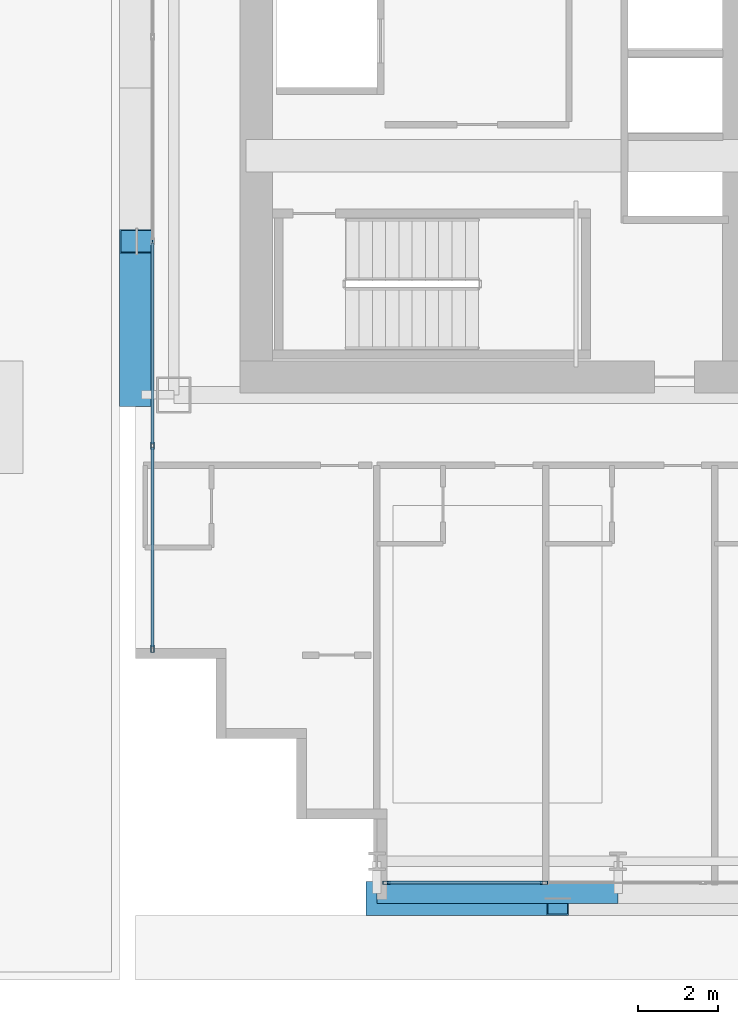
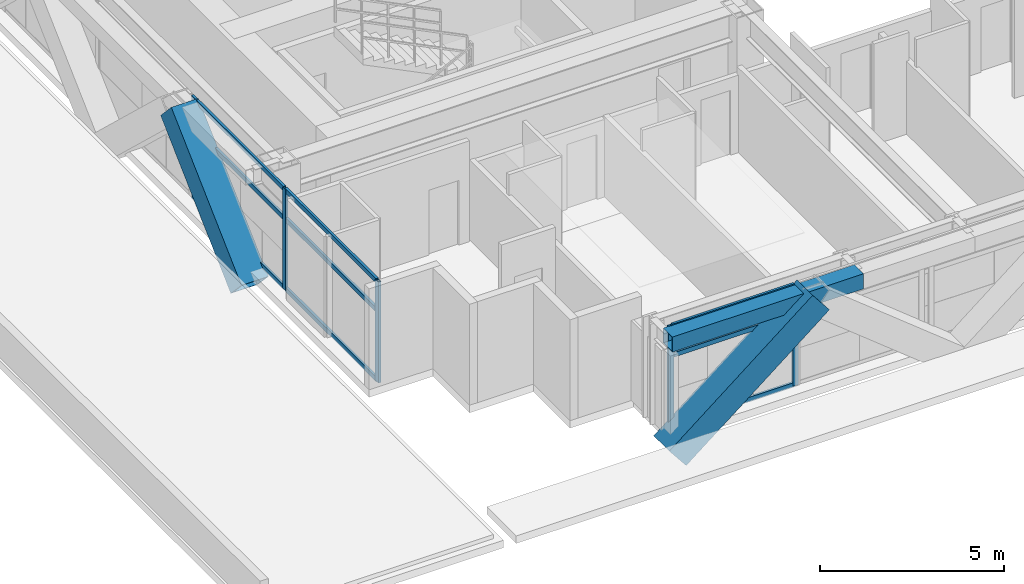
# One storey, part 2 of 35: 15 members, 1 beam, 2 elements without a shape of their own.
"""IFC4 building model written with IfcOpenShell, lengths in metres."""

from ifc_helpers import new_model, si_unit, direction, frame, origin, origin_2d, place, context, subcontext, project, spatial, hollow_rectangle, extrude, source, transform, mapped, material, layer, layer_set, material_profile, profile_set, type_object, element, aggregate, save


model = new_model("IFC4")

# Units and contexts
model_context = context("Model", 3, precision=1e-05, world=origin(), true_north=direction((0.0, 1.0)))
body_context = subcontext(model_context, "Body", "Model", "MODEL_VIEW")
ifc_project = project(units=[si_unit("LENGTHUNIT", "METRE"), si_unit("AREAUNIT", "SQUARE_METRE"), si_unit("VOLUMEUNIT", "CUBIC_METRE"), si_unit("PLANEANGLEUNIT", "RADIAN"), si_unit("MASSUNIT", "GRAM", prefix="KILO")], contexts=[model_context])

# Site, building, storey
site_placement = place(None, origin())
site = spatial("IfcSite", under=ifc_project, at=site_placement, CompositionType="ELEMENT")
building_placement = place(site_placement, origin())
building = spatial("IfcBuilding", under=site, at=building_placement, Name="Ocotamira Hotel", CompositionType="ELEMENT")
storey_placement = place(building_placement, frame((0.0, 0.0, 34.800048828125)))
storey = spatial("IfcBuildingStorey", under=building, at=storey_placement, Name="L07", CompositionType="ELEMENT", Elevation=34.800048828125)

# Beam
ifc_material_1 = material(Name="Steel ASTM A500 Grade C", Category="steel")
ifc_material_profile_1 = material_profile(ifc_material_1, hollow_rectangle(XDim=0.5, YDim=0.5, WallThickness=0.02001953125, at=origin_2d()), Name="HSS500X500X20")
ifc_profile_set_1 = profile_set([ifc_material_profile_1], Name="Steel ASTM A500 Grade C")
beam_type = type_object("IfcBeamType", Name="BM-SPAN-HSS500", PredefinedType="USERDEFINED", material=ifc_profile_set_1)
shared_shape_1 = source(origin(), body_context, "Body", "SweptSolid", [
    extrude(hollow_rectangle(XDim=0.5, YDim=0.5, WallThickness=0.02001953125, at=origin_2d()), origin(), (0.0, 0.0, 1.0), 6.0),
])
beam_placement = place(storey_placement, frame((14.0, 2.14990234375, 3.099853515625), z_axis=(1.0, 0.0, 0.0), x_axis=(0.0, 1.0, 0.0)))
element("IfcBeam", 1, at=beam_placement, inside=storey, type_object=beam_type, Name="L07 Edge Spandrel S X14-20", ObjectType="SPANDREL", PredefinedType="USERDEFINED", context=body_context, shape_type="MappedRepresentation", body=[
    mapped(shared_shape_1, transform((0.0, 0.0, 0.0), scale=1.0)),
])

# Members
ifc_material_2 = material(Name="Pale-metal coated steel ASTM A913 Grade 65", Category="steel")
ifc_material_profile_2 = material_profile(ifc_material_2, hollow_rectangle(XDim=0.85009765625, YDim=0.85009765625, WallThickness=0.035888671875, at=origin_2d()), Name="BOX850X850X36")
ifc_profile_set_2 = profile_set([ifc_material_profile_2], Name="Pale-metal coated steel ASTM A913 Grade 65")
member_type_1 = type_object("IfcMemberType", Name="MEM-EXO-BOX850", PredefinedType="BRACE", material=ifc_profile_set_2)
shared_shape_2 = source(origin(), body_context, "Body", "SweptSolid", [
    extrude(hollow_rectangle(XDim=0.85009765625, YDim=0.85009765625, WallThickness=0.035888671875, at=origin_2d()), origin(), (0.0, 0.0, 1.0), 5.7626953125),
])
member_1_placement = place(storey_placement, frame((14.0, 2.030029296875, -0.5), z_axis=(0.780881208953, 0.0, 0.624679547852), x_axis=(0.0, 1.0, 0.0)))
element("IfcMember", 2, at=member_1_placement, inside=storey, type_object=member_type_1, Name="L07 Exoskeleton Diagrid S0.1", PredefinedType="BRACE", context=body_context, shape_type="MappedRepresentation", body=[
    mapped(shared_shape_2, transform((0.0, 0.0, 0.0), scale=1.0)),
])
shared_shape_3 = source(origin(), body_context, "Body", "SweptSolid", [
    extrude(hollow_rectangle(XDim=0.85009765625, YDim=0.85009765625, WallThickness=0.035888671875, at=origin_2d()), origin(), (0.0, 0.0, 1.0), 5.24658203125),
])
member_2_placement = place(storey_placement, frame((8.030029296875, 14.550048828125, -0.5), z_axis=(0.0, 0.72746596067, 0.686143772154), x_axis=(-1.0, 0.0, 0.0)))
element("IfcMember", 3, at=member_2_placement, inside=storey, type_object=member_type_1, Name="L07 Exoskeleton Diagrid W0.1", PredefinedType="BRACE", context=body_context, shape_type="MappedRepresentation", body=[
    mapped(shared_shape_3, transform((0.0, 0.0, 0.0), scale=1.0)),
])

# Curtain wall, members
ifc_material_3 = material(Name="Anodised pale-metal aluminium and solar glass", Category="aluminium")
ifc_layer = layer(ifc_material_3, 0.179931640625)
ifc_layer_set = layer_set([ifc_layer], Name="Anodised pale-metal aluminium and solar glass")
curtain_wall_type = type_object("IfcCurtainWallType", Name="CW-SYS2-Z1", PredefinedType="NOTDEFINED", material=ifc_layer_set)
curtain_wall_1_placement = place(storey_placement, origin())
curtain_wall_1 = element("IfcCurtainWall", 4, at=curtain_wall_1_placement, inside=storey, type_object=curtain_wall_type, Name="L07 Curtain Wall CW-2 CW-L07-S1", PredefinedType="NOTDEFINED")
ifc_material_4 = material(Name="Anodised pale-metal aluminium 6063-T6", Category="aluminium")
ifc_material_profile_3 = material_profile(ifc_material_4, hollow_rectangle(XDim=0.080078125, YDim=0.179931640625, WallThickness=0.006103515625, at=origin_2d()), Name="HSS180X80X6")
ifc_profile_set_3 = profile_set([ifc_material_profile_3], Name="Anodised pale-metal aluminium 6063-T6")
member_type_2 = type_object("IfcMemberType", Name="CWM-180X75", PredefinedType="MULLION", material=ifc_profile_set_3)
shared_shape_4 = source(origin(), body_context, "Body", "SweptSolid", [
    extrude(hollow_rectangle(XDim=0.080078125, YDim=0.179931640625, WallThickness=0.006103515625, at=origin_2d()), origin(), (0.0, 0.0, 1.0), 3.349853515625),
])
member_3_placement = place(storey_placement, frame((14.239990234375, 2.419921875, 0.0), z_axis=(0.0, 0.0, 1.0), x_axis=(0.0, 1.0, 0.0)))
member_3 = element("IfcMember", 5, at=member_3_placement, type_object=member_type_2, Name="CW-2 mullion 1", PredefinedType="MULLION", context=body_context, shape_type="MappedRepresentation", body=[
    mapped(shared_shape_4, transform((0.0, 0.0, 0.0), scale=1.0)),
])
member_4_placement = place(storey_placement, frame((18.155517578125, 2.419921875, 0.0), z_axis=(0.0, 0.0, 1.0), x_axis=(0.0, 1.0, 0.0)))
member_4 = element("IfcMember", 6, at=member_4_placement, type_object=member_type_2, Name="CW-2 mullion 2", PredefinedType="MULLION", context=body_context, shape_type="MappedRepresentation", body=[
    mapped(shared_shape_4, transform((0.0, 0.0, 0.0), scale=1.0)),
])

curtain_wall_2_placement = place(storey_placement, origin())
curtain_wall_2 = element("IfcCurtainWall", 7, at=curtain_wall_2_placement, inside=storey, type_object=curtain_wall_type, Name="L07 Curtain Wall CW-2 CW-L07-W", PredefinedType="NOTDEFINED")
member_5_placement = place(storey_placement, frame((8.419921875, 8.239990234375, 0.0), z_axis=(0.0, 0.0, 1.0), x_axis=(-1.0, 0.0, 0.0)))
member_5 = element("IfcMember", 8, at=member_5_placement, type_object=member_type_2, Name="CW-2 mullion 1", PredefinedType="MULLION", context=body_context, shape_type="MappedRepresentation", body=[
    mapped(shared_shape_4, transform((0.0, 0.0, 0.0), scale=1.0)),
])
member_6_placement = place(storey_placement, frame((8.419921875, 13.28564453125, 0.0), z_axis=(0.0, 0.0, 1.0), x_axis=(-1.0, 0.0, 0.0)))
member_6 = element("IfcMember", 9, at=member_6_placement, type_object=member_type_2, Name="CW-2 mullion 2", PredefinedType="MULLION", context=body_context, shape_type="MappedRepresentation", body=[
    mapped(shared_shape_4, transform((0.0, 0.0, 0.0), scale=1.0)),
])

# Member
ifc_material_profile_4 = material_profile(ifc_material_4, hollow_rectangle(XDim=0.074951171875, YDim=0.14990234375, WallThickness=0.006103515625, at=origin_2d()), Name="HSS150X75X6")
ifc_profile_set_4 = profile_set([ifc_material_profile_4], Name="Anodised pale-metal aluminium 6063-T6")
member_type_3 = type_object("IfcMemberType", Name="CWT-150X75", PredefinedType="USERDEFINED", material=ifc_profile_set_4)
shared_shape_5 = source(origin(), body_context, "Body", "SweptSolid", [
    extrude(hollow_rectangle(XDim=0.074951171875, YDim=0.14990234375, WallThickness=0.006103515625, at=origin_2d()), origin(), (0.0, 0.0, 1.0), 3.83544921875),
])
member_7_placement = place(storey_placement, frame((14.280029296875, 2.419921875, 0.037353515625), z_axis=(1.0, 0.0, 0.0), x_axis=(0.0, 1.0, 0.0)))
member_7 = element("IfcMember", 10, at=member_7_placement, type_object=member_type_3, Name="CW-2 transom 1.1", ObjectType="TRANSOM", PredefinedType="USERDEFINED", context=body_context, shape_type="MappedRepresentation", body=[
    mapped(shared_shape_5, transform((0.0, 0.0, 0.0), scale=1.0)),
])

member_8_placement = place(storey_placement, frame((14.280029296875, 2.419921875, 2.349853515625), z_axis=(1.0, 0.0, 0.0), x_axis=(0.0, 1.0, 0.0)))
member_8 = element("IfcMember", 11, at=member_8_placement, type_object=member_type_3, Name="CW-2 transom 1.2", ObjectType="TRANSOM", PredefinedType="USERDEFINED", context=body_context, shape_type="MappedRepresentation", body=[
    mapped(shared_shape_5, transform((0.0, 0.0, 0.0), scale=1.0)),
])

member_9_placement = place(storey_placement, frame((14.280029296875, 2.419921875, 3.3125), z_axis=(1.0, 0.0, 0.0), x_axis=(0.0, 1.0, 0.0)))
member_9 = element("IfcMember", 12, at=member_9_placement, type_object=member_type_3, Name="CW-2 transom 1.3", ObjectType="TRANSOM", PredefinedType="USERDEFINED", context=body_context, shape_type="MappedRepresentation", body=[
    mapped(shared_shape_5, transform((0.0, 0.0, 0.0), scale=1.0)),
])

aggregate(curtain_wall_1, [member_3, member_4, member_7, member_8, member_9])

shared_shape_6 = source(origin(), body_context, "Body", "SweptSolid", [
    extrude(hollow_rectangle(XDim=0.074951171875, YDim=0.14990234375, WallThickness=0.006103515625, at=origin_2d()), origin(), (0.0, 0.0, 1.0), 4.965576171875),
])
member_10_placement = place(storey_placement, frame((8.419921875, 8.280029296875, 0.037353515625), z_axis=(0.0, 1.0, 0.0), x_axis=(-1.0, 0.0, 0.0)))
member_10 = element("IfcMember", 13, at=member_10_placement, type_object=member_type_3, Name="CW-2 transom 1.1", ObjectType="TRANSOM", PredefinedType="USERDEFINED", context=body_context, shape_type="MappedRepresentation", body=[
    mapped(shared_shape_6, transform((0.0, 0.0, 0.0), scale=1.0)),
])

member_11_placement = place(storey_placement, frame((8.419921875, 8.280029296875, 2.349853515625), z_axis=(0.0, 1.0, 0.0), x_axis=(-1.0, 0.0, 0.0)))
member_11 = element("IfcMember", 14, at=member_11_placement, type_object=member_type_3, Name="CW-2 transom 1.2", ObjectType="TRANSOM", PredefinedType="USERDEFINED", context=body_context, shape_type="MappedRepresentation", body=[
    mapped(shared_shape_6, transform((0.0, 0.0, 0.0), scale=1.0)),
])

member_12_placement = place(storey_placement, frame((8.419921875, 8.280029296875, 3.3125), z_axis=(0.0, 1.0, 0.0), x_axis=(-1.0, 0.0, 0.0)))
member_12 = element("IfcMember", 15, at=member_12_placement, type_object=member_type_3, Name="CW-2 transom 1.3", ObjectType="TRANSOM", PredefinedType="USERDEFINED", context=body_context, shape_type="MappedRepresentation", body=[
    mapped(shared_shape_6, transform((0.0, 0.0, 0.0), scale=1.0)),
])

shared_shape_7 = source(origin(), body_context, "Body", "SweptSolid", [
    extrude(hollow_rectangle(XDim=0.074951171875, YDim=0.14990234375, WallThickness=0.006103515625, at=origin_2d()), origin(), (0.0, 0.0, 1.0), 5.005859375),
])
member_13_placement = place(storey_placement, frame((8.419921875, 13.32568359375, 0.037353515625), z_axis=(0.0, 1.0, 0.0), x_axis=(-1.0, 0.0, 0.0)))
member_13 = element("IfcMember", 16, at=member_13_placement, type_object=member_type_3, Name="CW-2 transom 2.1", ObjectType="TRANSOM", PredefinedType="USERDEFINED", context=body_context, shape_type="MappedRepresentation", body=[
    mapped(shared_shape_7, transform((0.0, 0.0, 0.0), scale=1.0)),
])

member_14_placement = place(storey_placement, frame((8.419921875, 13.32568359375, 2.349853515625), z_axis=(0.0, 1.0, 0.0), x_axis=(-1.0, 0.0, 0.0)))
member_14 = element("IfcMember", 17, at=member_14_placement, type_object=member_type_3, Name="CW-2 transom 2.2", ObjectType="TRANSOM", PredefinedType="USERDEFINED", context=body_context, shape_type="MappedRepresentation", body=[
    mapped(shared_shape_7, transform((0.0, 0.0, 0.0), scale=1.0)),
])

member_15_placement = place(storey_placement, frame((8.419921875, 13.32568359375, 3.3125), z_axis=(0.0, 1.0, 0.0), x_axis=(-1.0, 0.0, 0.0)))
member_15 = element("IfcMember", 18, at=member_15_placement, type_object=member_type_3, Name="CW-2 transom 2.3", ObjectType="TRANSOM", PredefinedType="USERDEFINED", context=body_context, shape_type="MappedRepresentation", body=[
    mapped(shared_shape_7, transform((0.0, 0.0, 0.0), scale=1.0)),
])

aggregate(curtain_wall_2, [member_5, member_6, member_10, member_11, member_12, member_13, member_14, member_15])

save(model, "model.ifc")
